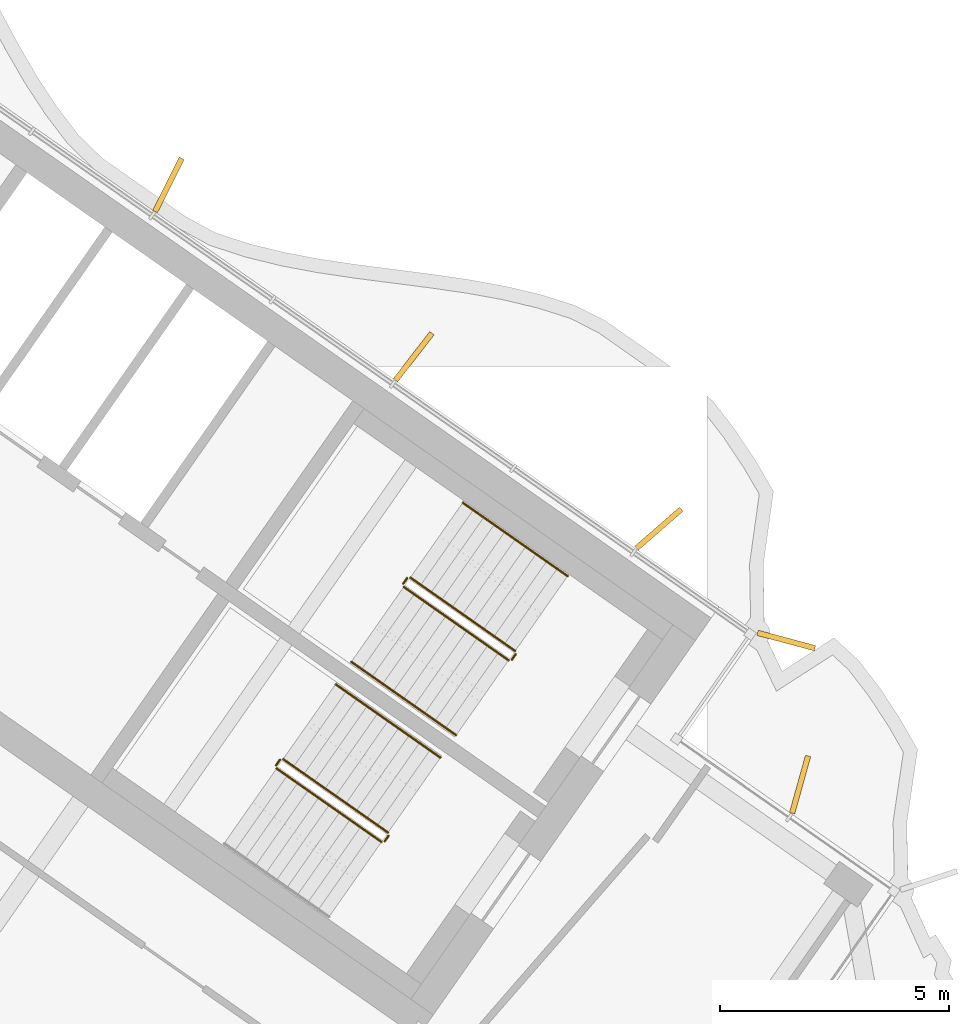
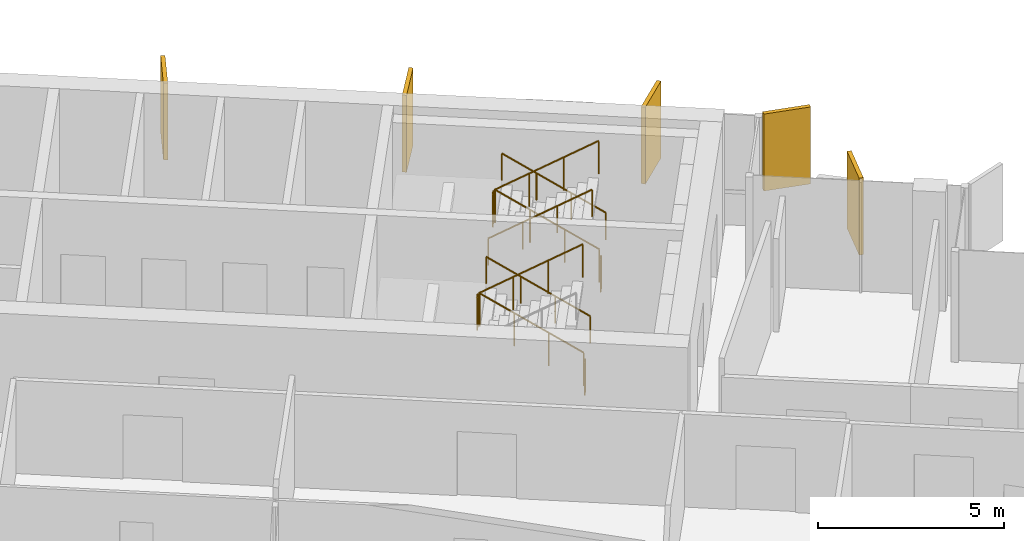
# One storey, part 19 of 20: 11 railings, 5 shading devices.
"""IFC4 building model written with IfcOpenShell, lengths in metres."""

from ifc_helpers import new_model, si_unit, direction, frame, origin, origin_2d, place, context, subcontext, project, spatial, rectangle, circle, extrude, material, layer, layer_set, type_object, element, save


model = new_model("IFC4")

# Units and contexts
model_context = context("Model", 3, precision=1e-05, world=origin(), true_north=direction((0.0, 1.0)))
body_context = subcontext(model_context, "Body", "Model", "MODEL_VIEW")
ifc_project = project(units=[si_unit("LENGTHUNIT", "METRE"), si_unit("AREAUNIT", "SQUARE_METRE"), si_unit("VOLUMEUNIT", "CUBIC_METRE"), si_unit("PLANEANGLEUNIT", "RADIAN"), si_unit("MASSUNIT", "GRAM", prefix="KILO")], contexts=[model_context])

# Site, building, storey
site_placement = place(None, origin())
site = spatial("IfcSite", under=ifc_project, at=site_placement, CompositionType="ELEMENT")
building_placement = place(site_placement, origin())
building = spatial("IfcBuilding", under=site, at=building_placement, Name="Tel Ilan Convention Tower", CompositionType="ELEMENT")
storey_placement = place(building_placement, frame((0.0, 0.0, 237.10009765625)))
storey = spatial("IfcBuildingStorey", under=building, at=storey_placement, Name="L55", CompositionType="ELEMENT", Elevation=237.10009765625)

# Shading devices
ifc_material_1 = material(Name="Aluminium, bronze anodised", Category="aluminium")
ifc_layer = layer(ifc_material_1, 0.1201171875)
ifc_layer_set = layer_set([ifc_layer], Name="FIN BRONZE 1300x120")
shading_device_type = type_object("IfcShadingDeviceType", Name="FIN BRONZE 1300x120", PredefinedType="USERDEFINED", material=ifc_layer_set)
for number, where, z_axis, x_axis, name in (
    (1, (29.611083984375, -7.623046875, 1.099853515625), (0.0, 0.0, 1.0), (0.965925826289, -0.258819045103, 0.0), "FIN"),
    (2, (26.823974609375, -5.177001953125, 1.099853515625), (0.0, 0.0, 1.0), (0.753435896329, 0.657521368568, 0.0), "FIN"),
    (3, (21.46044921875, -1.4130859375, 1.099853515625), (0.0, 0.0, 1.0), (0.612600545196, 0.790392669516, 0.0), "FIN"),
    (4, (16.092041015625, 2.345458984375, 1.099853515625), (0.0, 0.0, 1.0), (0.448799180206, 0.893632640321, 0.0), "FIN"),
    (5, (29.913818359375, -10.77392578125, 1.099853515625), (0.0, 0.0, 1.0), (0.268172612768, 0.963370878614, 0.0), "FIN"),
):
    element("IfcShadingDevice", number, at=place(storey_placement, frame(where, z_axis=z_axis, x_axis=x_axis)), inside=storey, type_object=shading_device_type, Name=name, ObjectType="FIN", PredefinedType="USERDEFINED", context=body_context, shape_type="SweptSolid", body=[
        extrude(rectangle(XDim=1.300048828125, YDim=0.1201171875, at=origin_2d()), origin(), (0.0, 0.0, 1.0), 2.52001953125),
    ])

# Railings
ifc_material_2 = material(Name="Stainless Steel Grade 316", Category="steel")
railing_type_1 = type_object("IfcRailingType", Name="Stainless Steel Stair Guard 1100 mm", PredefinedType="GUARDRAIL", material=ifc_material_2)
railing_1_placement = place(storey_placement, frame((23.6787109375, -7.8515625, 0.17724609375)))
element("IfcRailing", 6, at=railing_1_placement, inside=storey, type_object=railing_type_1, Name="L55 S3 stair guard 1", PredefinedType="GUARDRAIL", context=body_context, shape_type="SweptSolid", body=[
    extrude(circle(Radius=0.02392578125, at=origin_2d()), frame((0.0, 0.0, 1.076171875), z_axis=(-0.692084706163, 0.484621375041, 0.534940073605), x_axis=(-0.573591086599, -0.819141785879, 0.0)), (0.0, 0.0, 1.0), 3.313720703125),
    extrude(circle(Radius=0.02099609375, at=origin_2d()), origin(), (0.0, 0.0, 1.0), 1.052001953125),
    extrude(circle(Radius=0.02099609375, at=origin_2d()), frame((-0.764404296875, 0.535400390625, 0.5908203125)), (0.0, 0.0, 1.0), 1.052001953125),
    extrude(circle(Radius=0.02099609375, at=origin_2d()), frame((-1.529052734375, 1.070556640625, 1.181884765625)), (0.0, 0.0, 1.0), 1.052001953125),
    extrude(circle(Radius=0.02099609375, at=origin_2d()), frame((-2.29345703125, 1.60595703125, 1.772705078125)), (0.0, 0.0, 1.0), 1.052001953125),
])
railing_2_placement = place(storey_placement, frame((21.3154296875, -6.2578125, 1.949951171875)))
element("IfcRailing", 7, at=railing_2_placement, inside=storey, type_object=railing_type_1, Name="L55 S3 stair guard 2", PredefinedType="GUARDRAIL", context=body_context, shape_type="SweptSolid", body=[
    extrude(circle(Radius=0.02392578125, at=origin_2d()), frame((0.0, 0.0, 1.076171875), z_axis=(-0.573353020881, -0.819308436089, 0.0), x_axis=(0.819308436089, -0.573353020881, 0.0)), (0.0, 0.0, 1.0), 0.14990234375),
    extrude(circle(Radius=0.02099609375, at=origin_2d()), origin(), (0.0, 0.0, 1.0), 1.052001953125),
    extrude(circle(Radius=0.02099609375, at=origin_2d()), frame((-0.0859375, -0.122802734375, 0.0)), (0.0, 0.0, 1.0), 1.052001953125),
])
railing_3_placement = place(storey_placement, frame((21.24169921875, -6.4501953125, 2.127197265625)))
element("IfcRailing", 8, at=railing_3_placement, inside=storey, type_object=railing_type_1, Name="L55 S3 stair guard 3", PredefinedType="GUARDRAIL", context=body_context, shape_type="SweptSolid", body=[
    extrude(circle(Radius=0.02392578125, at=origin_2d()), frame((0.0, 0.0, 1.076171875), z_axis=(0.692098378994, -0.484653031975, 0.534893701956), x_axis=(0.573608623498, 0.819129505664, 0.0)), (0.0, 0.0, 1.0), 3.314208984375),
    extrude(circle(Radius=0.02099609375, at=origin_2d()), origin(), (0.0, 0.0, 1.0), 1.052001953125),
    extrude(circle(Radius=0.02099609375, at=origin_2d()), frame((0.7646484375, -0.535400390625, 0.5908203125)), (0.0, 0.0, 1.0), 1.052001953125),
    extrude(circle(Radius=0.02099609375, at=origin_2d()), frame((1.529052734375, -1.07080078125, 1.181884765625)), (0.0, 0.0, 1.0), 1.052001953125),
    extrude(circle(Radius=0.02099609375, at=origin_2d()), frame((2.293701171875, -1.606201171875, 1.772705078125)), (0.0, 0.0, 1.0), 1.052001953125),
])
railing_4_placement = place(storey_placement, frame((23.691162109375, -7.921142578125, 0.0)))
element("IfcRailing", 9, at=railing_4_placement, inside=storey, type_object=railing_type_1, Name="L55 S3 stair guard 4", PredefinedType="GUARDRAIL", context=body_context, shape_type="SweptSolid", body=[
    extrude(circle(Radius=0.02392578125, at=origin_2d()), frame((0.0, 0.0, 1.076171875), z_axis=(-0.574444878118, -0.818543268254, 0.0), x_axis=(0.818543268254, -0.574444878118, 0.0)), (0.0, 0.0, 1.0), 0.150146484375),
    extrude(circle(Radius=0.02099609375, at=origin_2d()), origin(), (0.0, 0.0, 1.0), 1.052001953125),
    extrude(circle(Radius=0.02099609375, at=origin_2d()), frame((-0.086181640625, -0.122802734375, 0.0)), (0.0, 0.0, 1.0), 1.052001953125),
])
railing_5_placement = place(storey_placement, frame((20.89697265625, -11.824462890625, 0.17724609375)))
element("IfcRailing", 10, at=railing_5_placement, inside=storey, type_object=railing_type_1, Name="L55 S4 stair guard 1", PredefinedType="GUARDRAIL", context=body_context, shape_type="SweptSolid", body=[
    extrude(circle(Radius=0.02392578125, at=origin_2d()), frame((0.0, 0.0, 1.076171875), z_axis=(-0.692123088272, 0.484596665743, 0.534912798717), x_axis=(-0.573550118428, -0.819170471667, 0.0)), (0.0, 0.0, 1.0), 3.31396484375),
    extrude(circle(Radius=0.02099609375, at=origin_2d()), origin(), (0.0, 0.0, 1.0), 1.052001953125),
    extrude(circle(Radius=0.02099609375, at=origin_2d()), frame((-0.7646484375, 0.535400390625, 0.5908203125)), (0.0, 0.0, 1.0), 1.052001953125),
    extrude(circle(Radius=0.02099609375, at=origin_2d()), frame((-1.529052734375, 1.070556640625, 1.181884765625)), (0.0, 0.0, 1.0), 1.052001953125),
    extrude(circle(Radius=0.02099609375, at=origin_2d()), frame((-2.293701171875, 1.60595703125, 1.772705078125)), (0.0, 0.0, 1.0), 1.052001953125),
])
railing_6_placement = place(storey_placement, frame((18.53369140625, -10.230712890625, 1.949951171875)))
element("IfcRailing", 11, at=railing_6_placement, inside=storey, type_object=railing_type_1, Name="L55 S4 stair guard 2", PredefinedType="GUARDRAIL", context=body_context, shape_type="SweptSolid", body=[
    extrude(circle(Radius=0.02392578125, at=origin_2d()), frame((0.0, 0.0, 1.076171875), z_axis=(-0.573353020881, -0.819308436089, 0.0), x_axis=(0.819308436089, -0.573353020881, 0.0)), (0.0, 0.0, 1.0), 0.14990234375),
    extrude(circle(Radius=0.02099609375, at=origin_2d()), origin(), (0.0, 0.0, 1.0), 1.052001953125),
    extrude(circle(Radius=0.02099609375, at=origin_2d()), frame((-0.0859375, -0.122802734375, 0.0)), (0.0, 0.0, 1.0), 1.052001953125),
])
railing_7_placement = place(storey_placement, frame((18.4599609375, -10.423095703125, 2.127197265625)))
element("IfcRailing", 12, at=railing_7_placement, inside=storey, type_object=railing_type_1, Name="L55 S4 stair guard 3", PredefinedType="GUARDRAIL", context=body_context, shape_type="SweptSolid", body=[
    extrude(circle(Radius=0.02392578125, at=origin_2d()), frame((0.0, 0.0, 1.076171875), z_axis=(0.692098378994, -0.484653031975, 0.534893701956), x_axis=(0.573608623498, 0.819129505664, 0.0)), (0.0, 0.0, 1.0), 3.314208984375),
    extrude(circle(Radius=0.02099609375, at=origin_2d()), origin(), (0.0, 0.0, 1.0), 1.052001953125),
    extrude(circle(Radius=0.02099609375, at=origin_2d()), frame((0.7646484375, -0.535400390625, 0.5908203125)), (0.0, 0.0, 1.0), 1.052001953125),
    extrude(circle(Radius=0.02099609375, at=origin_2d()), frame((1.529052734375, -1.07080078125, 1.181884765625)), (0.0, 0.0, 1.0), 1.052001953125),
    extrude(circle(Radius=0.02099609375, at=origin_2d()), frame((2.293701171875, -1.606201171875, 1.772705078125)), (0.0, 0.0, 1.0), 1.052001953125),
])
railing_8_placement = place(storey_placement, frame((20.9091796875, -11.89404296875, 0.0)))
element("IfcRailing", 13, at=railing_8_placement, inside=storey, type_object=railing_type_1, Name="L55 S4 stair guard 4", PredefinedType="GUARDRAIL", context=body_context, shape_type="SweptSolid", body=[
    extrude(circle(Radius=0.02392578125, at=origin_2d()), frame((0.0, 0.0, 1.076171875), z_axis=(-0.573353020881, -0.819308436089, 0.0), x_axis=(0.819308436089, -0.573353020881, 0.0)), (0.0, 0.0, 1.0), 0.14990234375),
    extrude(circle(Radius=0.02099609375, at=origin_2d()), origin(), (0.0, 0.0, 1.0), 1.052001953125),
    extrude(circle(Radius=0.02099609375, at=origin_2d()), frame((-0.0859375, -0.122802734375, 0.0)), (0.0, 0.0, 1.0), 1.052001953125),
])
ifc_material_3 = material(Name="Stainless Steel Grade 316", Category="steel")
railing_type_2 = type_object("IfcRailingType", Name="Stainless Steel Stair Handrail 900 mm", PredefinedType="HANDRAIL", material=ifc_material_3)
railing_9_placement = place(storey_placement, frame((24.825927734375, -6.213134765625, 0.17724609375)))
element("IfcRailing", 14, at=railing_9_placement, inside=storey, type_object=railing_type_2, Name="L55 S3 stair handrail 1", PredefinedType="HANDRAIL", context=body_context, shape_type="SweptSolid", body=[
    extrude(circle(Radius=0.02392578125, at=origin_2d()), frame((0.0, 0.0, 0.8759765625), z_axis=(-0.692123088272, 0.484596665743, 0.534912798717), x_axis=(-0.573550118428, -0.819170471667, 0.0)), (0.0, 0.0, 1.0), 3.31396484375),
    extrude(circle(Radius=0.02099609375, at=origin_2d()), origin(), (0.0, 0.0, 1.0), 0.851806640625),
    extrude(circle(Radius=0.02099609375, at=origin_2d()), frame((-0.7646484375, 0.535400390625, 0.5908203125)), (0.0, 0.0, 1.0), 0.851806640625),
    extrude(circle(Radius=0.02099609375, at=origin_2d()), frame((-1.529052734375, 1.070556640625, 1.181884765625)), (0.0, 0.0, 1.0), 0.851806640625),
    extrude(circle(Radius=0.02099609375, at=origin_2d()), frame((-2.293701171875, 1.60595703125, 1.772705078125)), (0.0, 0.0, 1.0), 0.851806640625),
])
railing_10_placement = place(storey_placement, frame((20.0947265625, -8.088623046875, 2.127197265625)))
element("IfcRailing", 15, at=railing_10_placement, inside=storey, type_object=railing_type_2, Name="L55 S3 stair handrail 2", PredefinedType="HANDRAIL", context=body_context, shape_type="SweptSolid", body=[
    extrude(circle(Radius=0.02392578125, at=origin_2d()), frame((0.0, 0.0, 0.8759765625), z_axis=(0.692084706163, -0.484621375041, 0.534940073605), x_axis=(0.573591086599, 0.819141785879, 0.0)), (0.0, 0.0, 1.0), 3.313720703125),
    extrude(circle(Radius=0.02099609375, at=origin_2d()), origin(), (0.0, 0.0, 1.0), 0.851806640625),
    extrude(circle(Radius=0.02099609375, at=origin_2d()), frame((0.764404296875, -0.535400390625, 0.5908203125)), (0.0, 0.0, 1.0), 0.851806640625),
    extrude(circle(Radius=0.02099609375, at=origin_2d()), frame((1.529052734375, -1.070556640625, 1.181884765625)), (0.0, 0.0, 1.0), 0.851806640625),
    extrude(circle(Radius=0.02099609375, at=origin_2d()), frame((2.29345703125, -1.60595703125, 1.772705078125)), (0.0, 0.0, 1.0), 0.851806640625),
])
railing_11_placement = place(storey_placement, frame((22.044189453125, -10.18603515625, 0.17724609375)))
element("IfcRailing", 16, at=railing_11_placement, inside=storey, type_object=railing_type_2, Name="L55 S4 stair handrail 1", PredefinedType="HANDRAIL", context=body_context, shape_type="SweptSolid", body=[
    extrude(circle(Radius=0.02392578125, at=origin_2d()), frame((0.0, 0.0, 0.8759765625), z_axis=(-0.692123088272, 0.484596665743, 0.534912798717), x_axis=(-0.573550118428, -0.819170471667, 0.0)), (0.0, 0.0, 1.0), 3.31396484375),
    extrude(circle(Radius=0.02099609375, at=origin_2d()), origin(), (0.0, 0.0, 1.0), 0.851806640625),
    extrude(circle(Radius=0.02099609375, at=origin_2d()), frame((-0.7646484375, 0.535400390625, 0.5908203125)), (0.0, 0.0, 1.0), 0.851806640625),
    extrude(circle(Radius=0.02099609375, at=origin_2d()), frame((-1.529052734375, 1.070556640625, 1.181884765625)), (0.0, 0.0, 1.0), 0.851806640625),
    extrude(circle(Radius=0.02099609375, at=origin_2d()), frame((-2.293701171875, 1.60595703125, 1.772705078125)), (0.0, 0.0, 1.0), 0.851806640625),
])

save(model, "model.ifc")
